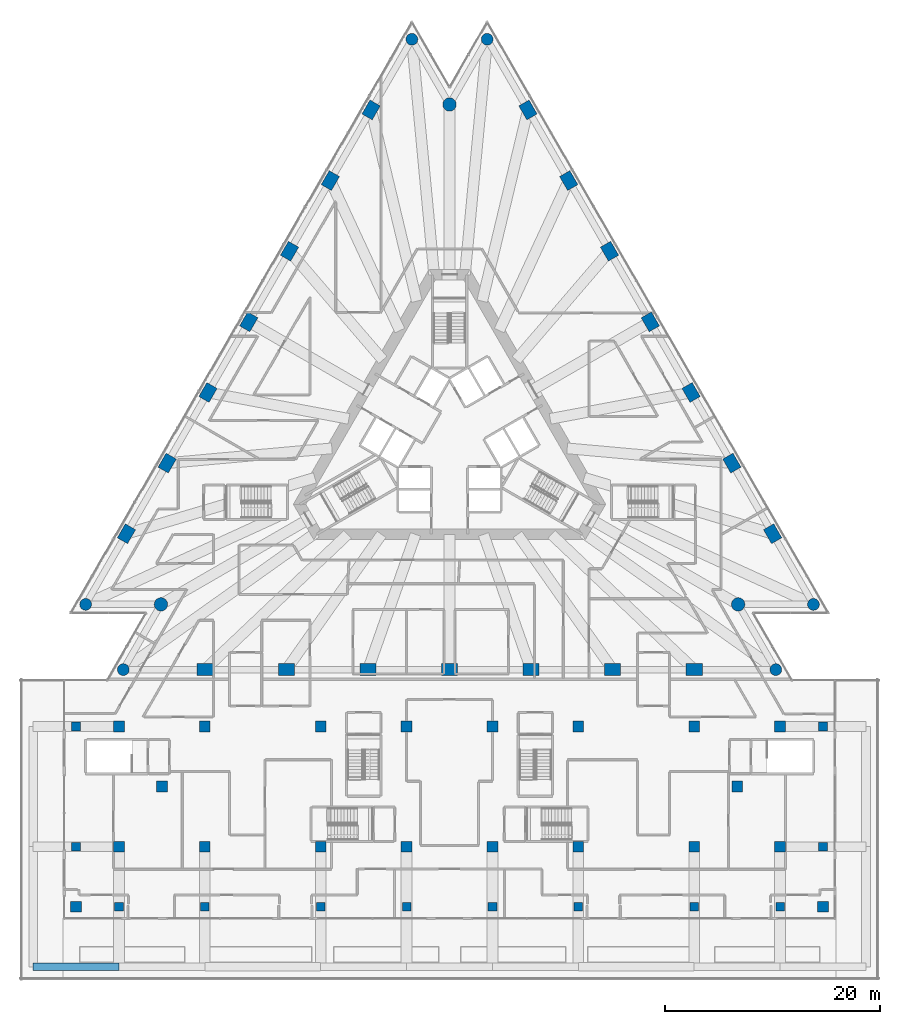
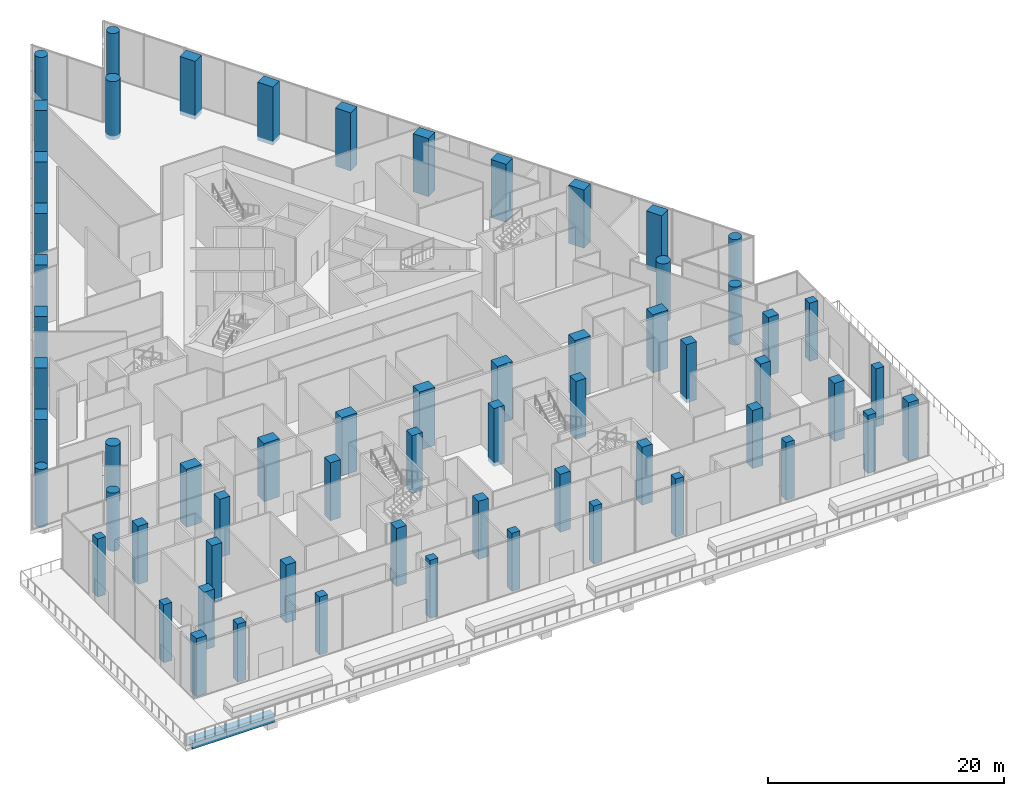
# One storey, part 1 of 36: 62 columns, 1 beam.
"""IFC4 building model written with IfcOpenShell, lengths in metres."""

from ifc_helpers import new_model, si_unit, direction, frame, origin, origin_2d, place, context, subcontext, project, spatial, rectangle, circle, extrude, material, material_profile, profile_set, type_object, element, save


model = new_model("IFC4")

# Units and contexts
model_context = context("Model", 3, precision=1e-05, world=origin(), true_north=direction((0.0, 1.0)))
body_context = subcontext(model_context, "Body", "Model", "MODEL_VIEW")
ifc_project = project(units=[si_unit("LENGTHUNIT", "METRE"), si_unit("AREAUNIT", "SQUARE_METRE"), si_unit("VOLUMEUNIT", "CUBIC_METRE"), si_unit("PLANEANGLEUNIT", "RADIAN"), si_unit("MASSUNIT", "GRAM", prefix="KILO")], contexts=[model_context])

# Site, building, storey
site_placement = place(None, origin())
site = spatial("IfcSite", under=ifc_project, at=site_placement, CompositionType="ELEMENT")
building_placement = place(site_placement, origin())
building = spatial("IfcBuilding", under=site, at=building_placement, Name="Triada Interchange Tower", CompositionType="ELEMENT")
storey_placement = place(building_placement, frame((0.0, 0.0, 8.5)))
storey = spatial("IfcBuildingStorey", under=building, at=storey_placement, Name="L01", CompositionType="ELEMENT", Elevation=8.5)

# Columns
ifc_material_1 = material(Name="Concrete C70/85", Category="concrete")
ifc_material_profile_1 = material_profile(ifc_material_1, rectangle(XDim=1.5, YDim=1.10009765625, at=origin_2d()), Name="RC 1500x1100")
ifc_profile_set_1 = profile_set([ifc_material_profile_1], Name="Concrete C70/85")
column_type_1 = type_object("IfcColumnType", Name="Column P face RC 1500x1100", PredefinedType="COLUMN", material=ifc_profile_set_1)
for number, where, z_axis, x_axis, name in (
    (1, (-7.306884765625, 30.5439453125, -0.39990234375), (0.0, 0.0, 1.0), (0.5, 0.866025403784, 0.0), "Column CP02 L01"),
    (2, (-11.10595703125, 23.9619140625, -0.39990234375), (0.0, 0.0, 1.0), (0.5, 0.866025403784, 0.0), "Column CP03 L01"),
    (3, (-14.906005859375, 17.381103515625, -0.39990234375), (0.0, 0.0, 1.0), (0.5, 0.866025403784, 0.0), "Column CP04 L01"),
    (4, (-18.7060546875, 10.800048828125, -0.39990234375), (0.0, 0.0, 1.0), (0.5, 0.866025403784, 0.0), "Column CP05 L01"),
    (5, (-22.506103515625, 4.218994140625, -0.39990234375), (0.0, 0.0, 1.0), (0.5, 0.866025403784, 0.0), "Column CP06 L01"),
    (6, (-26.305908203125, -2.362060546875, -0.39990234375), (0.0, 0.0, 1.0), (0.5, 0.866025403784, 0.0), "Column CP07 L01"),
    (7, (-30.10498046875, -8.944091796875, -0.39990234375), (0.0, 0.0, 1.0), (0.5, 0.866025403784, 0.0), "Column CP08 L01"),
    (8, (-22.798095703125, -21.60009765625, -0.39990234375), (0.0, 0.0, 1.0), (1.0, 0.0, 0.0), "Column CP11 L01"),
    (9, (-15.197998046875, -21.60009765625, -0.39990234375), (0.0, 0.0, 1.0), (1.0, 0.0, 0.0), "Column CP12 L01"),
    (10, (-7.59912109375, -21.60009765625, -0.39990234375), (0.0, 0.0, 1.0), (1.0, 0.0, 0.0), "Column CP13 L01"),
    (11, (0.0, -21.60009765625, -0.39990234375), (0.0, 0.0, 1.0), (1.0, 0.0, 0.0), "Column CP14 L01"),
    (12, (7.59912109375, -21.60009765625, -0.39990234375), (0.0, 0.0, 1.0), (1.0, 0.0, 0.0), "Column CP15 L01"),
    (13, (15.198974609375, -21.60009765625, -0.39990234375), (0.0, 0.0, 1.0), (1.0, 0.0, 0.0), "Column CP16 L01"),
    (14, (22.798095703125, -21.60009765625, -0.39990234375), (0.0, 0.0, 1.0), (1.0, 0.0, 0.0), "Column CP17 L01"),
    (15, (30.10498046875, -8.944091796875, -0.39990234375), (0.0, 0.0, 1.0), (-0.5, 0.866025403784, 0.0), "Column CP20 L01"),
    (16, (26.305908203125, -2.363037109375, -0.39990234375), (0.0, 0.0, 1.0), (-0.5, 0.866025403784, 0.0), "Column CP21 L01"),
    (17, (22.506103515625, 4.218994140625, -0.39990234375), (0.0, 0.0, 1.0), (-0.5, 0.866025403784, 0.0), "Column CP22 L01"),
    (18, (18.7060546875, 10.800048828125, -0.39990234375), (0.0, 0.0, 1.0), (-0.5, 0.866025403784, 0.0), "Column CP23 L01"),
    (19, (14.906005859375, 17.381103515625, -0.39990234375), (0.0, 0.0, 1.0), (-0.5, 0.866025403784, 0.0), "Column CP24 L01"),
    (20, (11.10595703125, 23.9619140625, -0.39990234375), (0.0, 0.0, 1.0), (-0.5, 0.866025403784, 0.0), "Column CP25 L01"),
    (21, (7.306884765625, 30.5439453125, -0.39990234375), (0.0, 0.0, 1.0), (-0.5, 0.866025403784, 0.0), "Column CP26 L01"),
):
    element("IfcColumn", number, at=place(storey_placement, frame(where, z_axis=z_axis, x_axis=x_axis)), inside=storey, type_object=column_type_1, Name=name, PredefinedType="COLUMN", context=body_context, shape_type="SweptSolid", body=[
        extrude(rectangle(XDim=1.5, YDim=1.10009765625, at=origin_2d()), origin(), (0.0, 0.0, 1.0), 6.0),
    ])
ifc_material_2 = material(Name="Concrete C50/60", Category="concrete")
ifc_material_profile_2 = material_profile(ifc_material_2, rectangle(XDim=1.0, YDim=1.0, at=origin_2d()), Name="RC 1000x1000")
ifc_profile_set_2 = profile_set([ifc_material_profile_2], Name="Concrete C50/60")
column_type_2 = type_object("IfcColumnType", Name="Column X annex RC 1000x1000", PredefinedType="COLUMN", material=ifc_profile_set_2)
for number, where, z_axis, x_axis, name in (
    (22, (-34.800048828125, -43.699951171875, -0.39990234375), (0.0, 0.0, 1.0), (1.0, 0.0, 0.0), "Column CX011 L01"),
    (23, (34.800048828125, -43.699951171875, -0.39990234375), (0.0, 0.0, 1.0), (1.0, 0.0, 0.0), "Column CX020 L01"),
    (24, (-30.800048828125, -38.10009765625, -0.39990234375), (0.0, 0.0, 1.0), (1.0, 0.0, 0.0), "Column CX023 L01"),
    (25, (-22.800048828125, -38.10009765625, -0.39990234375), (0.0, 0.0, 1.0), (1.0, 0.0, 0.0), "Column CX024 L01"),
    (26, (-12.0, -38.10009765625, -0.39990234375), (0.0, 0.0, 1.0), (1.0, 0.0, 0.0), "Column CX025 L01"),
    (27, (-4.0, -38.10009765625, -0.39990234375), (0.0, 0.0, 1.0), (1.0, 0.0, 0.0), "Column CX026 L01"),
    (28, (4.0, -38.10009765625, -0.39990234375), (0.0, 0.0, 1.0), (1.0, 0.0, 0.0), "Column CX027 L01"),
    (29, (12.0, -38.10009765625, -0.39990234375), (0.0, 0.0, 1.0), (1.0, 0.0, 0.0), "Column CX028 L01"),
    (30, (22.800048828125, -38.10009765625, -0.39990234375), (0.0, 0.0, 1.0), (1.0, 0.0, 0.0), "Column CX029 L01"),
    (31, (30.800048828125, -38.10009765625, -0.39990234375), (0.0, 0.0, 1.0), (1.0, 0.0, 0.0), "Column CX030 L01"),
    (32, (-26.800048828125, -32.5, -0.39990234375), (0.0, 0.0, 1.0), (1.0, 0.0, 0.0), "Column CX033 L01"),
    (33, (26.800048828125, -32.5, -0.39990234375), (0.0, 0.0, 1.0), (1.0, 0.0, 0.0), "Column CX040 L01"),
    (34, (-30.800048828125, -26.89990234375, -0.39990234375), (0.0, 0.0, 1.0), (1.0, 0.0, 0.0), "Column CX043 L01"),
    (35, (-22.800048828125, -26.89990234375, -0.39990234375), (0.0, 0.0, 1.0), (1.0, 0.0, 0.0), "Column CX045 L01"),
    (36, (-12.0, -26.89990234375, -0.39990234375), (0.0, 0.0, 1.0), (1.0, 0.0, 0.0), "Column CX046 L01"),
    (37, (-4.0, -26.89990234375, -0.39990234375), (0.0, 0.0, 1.0), (1.0, 0.0, 0.0), "Column CX047 L01"),
    (38, (4.0, -26.89990234375, -0.39990234375), (0.0, 0.0, 1.0), (1.0, 0.0, 0.0), "Column CX048 L01"),
    (39, (12.0, -26.89990234375, -0.39990234375), (0.0, 0.0, 1.0), (1.0, 0.0, 0.0), "Column CX049 L01"),
    (40, (22.800048828125, -26.89990234375, -0.39990234375), (0.0, 0.0, 1.0), (1.0, 0.0, 0.0), "Column CX050 L01"),
    (41, (30.800048828125, -26.89990234375, -0.39990234375), (0.0, 0.0, 1.0), (1.0, 0.0, 0.0), "Column CX052 L01"),
):
    element("IfcColumn", number, at=place(storey_placement, frame(where, z_axis=z_axis, x_axis=x_axis)), inside=storey, type_object=column_type_2, Name=name, PredefinedType="COLUMN", context=body_context, shape_type="SweptSolid", body=[
        extrude(rectangle(XDim=1.0, YDim=1.0, at=origin_2d()), origin(), (0.0, 0.0, 1.0), 6.0),
    ])
ifc_material_profile_3 = material_profile(ifc_material_1, circle(Radius=0.550048828125, at=origin_2d()), Name="RC D1100")
ifc_profile_set_3 = profile_set([ifc_material_profile_3], Name="Concrete C70/85")
column_type_3 = type_object("IfcColumnType", Name="End column P RC D1100", PredefinedType="COLUMN", material=ifc_profile_set_3)
for number, where, z_axis, x_axis, name in (
    (42, (-3.507080078125, 37.125, -0.39990234375), (0.0, 0.0, 1.0), (0.5, 0.866025403784, 0.0), "Column CP01 L01"),
    (43, (-33.905029296875, -15.52490234375, -0.39990234375), (0.0, 0.0, 1.0), (0.5, 0.866025403784, 0.0), "Column CP09 L01"),
    (44, (-30.39697265625, -21.60009765625, -0.39990234375), (0.0, 0.0, 1.0), (1.0, 0.0, 0.0), "Column CP10 L01"),
    (45, (30.39697265625, -21.60009765625, -0.39990234375), (0.0, 0.0, 1.0), (1.0, 0.0, 0.0), "Column CP18 L01"),
    (46, (33.905029296875, -15.52490234375, -0.39990234375), (0.0, 0.0, 1.0), (-0.5, 0.866025403784, 0.0), "Column CP19 L01"),
    (47, (3.507080078125, 37.125, -0.39990234375), (0.0, 0.0, 1.0), (-0.5, 0.866025403784, 0.0), "Column CP27 L01"),
):
    element("IfcColumn", number, at=place(storey_placement, frame(where, z_axis=z_axis, x_axis=x_axis)), inside=storey, type_object=column_type_3, Name=name, PredefinedType="COLUMN", context=body_context, shape_type="SweptSolid", body=[
        extrude(circle(Radius=0.550048828125, at=origin_2d()), origin(), (0.0, 0.0, 1.0), 6.0),
    ])
ifc_material_profile_4 = material_profile(ifc_material_1, circle(Radius=0.625, at=origin_2d()), Name="RC D1250")
ifc_profile_set_4 = profile_set([ifc_material_profile_4], Name="Concrete C70/85")
column_type_4 = type_object("IfcColumnType", Name="Mega column P RC D1250", PredefinedType="COLUMN", material=ifc_profile_set_4)
for number, where, z_axis, x_axis, name in (
    (48, (0.0, 31.050048828125, -0.39990234375), (0.0, 0.0, 1.0), (1.0, 0.0, 0.0), "Column MP1 L01"),
    (49, (-26.889892578125, -15.52490234375, -0.39990234375), (0.0, 0.0, 1.0), (1.0, 0.0, 0.0), "Column MP2 L01"),
    (50, (26.889892578125, -15.52490234375, -0.39990234375), (0.0, 0.0, 1.0), (1.0, 0.0, 0.0), "Column MP3 L01"),
):
    element("IfcColumn", number, at=place(storey_placement, frame(where, z_axis=z_axis, x_axis=x_axis)), inside=storey, type_object=column_type_4, Name=name, PredefinedType="COLUMN", context=body_context, shape_type="SweptSolid", body=[
        extrude(circle(Radius=0.625, at=origin_2d()), origin(), (0.0, 0.0, 1.0), 6.0),
    ])
ifc_material_profile_5 = material_profile(ifc_material_2, rectangle(XDim=0.800048828125, YDim=0.800048828125, at=origin_2d()), Name="RC 800x800")
ifc_profile_set_5 = profile_set([ifc_material_profile_5], Name="Concrete C50/60")
column_type_5 = type_object("IfcColumnType", Name="Stub column X annex RC 800x800", PredefinedType="COLUMN", material=ifc_profile_set_5)
for number, where, z_axis, x_axis, name in (
    (51, (-30.800048828125, -43.699951171875, -0.39990234375), (0.0, 0.0, 1.0), (1.0, 0.0, 0.0), "Column CX012 L01"),
    (52, (-22.800048828125, -43.699951171875, -0.39990234375), (0.0, 0.0, 1.0), (1.0, 0.0, 0.0), "Column CX013 L01"),
    (53, (-12.0, -43.699951171875, -0.39990234375), (0.0, 0.0, 1.0), (1.0, 0.0, 0.0), "Column CX014 L01"),
    (54, (-4.0, -43.699951171875, -0.39990234375), (0.0, 0.0, 1.0), (1.0, 0.0, 0.0), "Column CX015 L01"),
    (55, (4.0, -43.699951171875, -0.39990234375), (0.0, 0.0, 1.0), (1.0, 0.0, 0.0), "Column CX016 L01"),
    (56, (12.0, -43.699951171875, -0.39990234375), (0.0, 0.0, 1.0), (1.0, 0.0, 0.0), "Column CX017 L01"),
    (57, (22.800048828125, -43.699951171875, -0.39990234375), (0.0, 0.0, 1.0), (1.0, 0.0, 0.0), "Column CX018 L01"),
    (58, (30.800048828125, -43.699951171875, -0.39990234375), (0.0, 0.0, 1.0), (1.0, 0.0, 0.0), "Column CX019 L01"),
    (59, (-34.800048828125, -38.10009765625, -0.39990234375), (0.0, 0.0, 1.0), (1.0, 0.0, 0.0), "Column CX022 L01"),
    (60, (34.800048828125, -38.10009765625, -0.39990234375), (0.0, 0.0, 1.0), (1.0, 0.0, 0.0), "Column CX031 L01"),
    (61, (-34.800048828125, -26.89990234375, -0.39990234375), (0.0, 0.0, 1.0), (1.0, 0.0, 0.0), "Column CX042 L01"),
    (62, (34.800048828125, -26.89990234375, -0.39990234375), (0.0, 0.0, 1.0), (1.0, 0.0, 0.0), "Column CX053 L01"),
):
    element("IfcColumn", number, at=place(storey_placement, frame(where, z_axis=z_axis, x_axis=x_axis)), inside=storey, type_object=column_type_5, Name=name, PredefinedType="COLUMN", context=body_context, shape_type="SweptSolid", body=[
        extrude(rectangle(XDim=0.800048828125, YDim=0.800048828125, at=origin_2d()), origin(), (0.0, 0.0, 1.0), 6.0),
    ])

# Beam
ifc_material_3 = material(Name="Concrete C40/50", Category="concrete")
ifc_material_profile_6 = material_profile(ifc_material_3, rectangle(XDim=0.699951171875, YDim=0.89990234375, at=origin_2d()), Name="RC 700x900")
ifc_profile_set_6 = profile_set([ifc_material_profile_6], Name="Concrete C40/50")
beam_type = type_object("IfcBeamType", Name="Terrace beam RC 700x900", PredefinedType="BEAM", material=ifc_profile_set_6)
beam_placement = place(storey_placement, frame((-38.800048828125, -49.300048828125, -0.85009765625), z_axis=(1.0, 0.0, 0.0), x_axis=(0.0, 1.0, 0.0)))
element("IfcBeam", 63, at=beam_placement, inside=storey, type_object=beam_type, Name="Terrace beam TE01 L01", PredefinedType="BEAM", context=body_context, shape_type="SweptSolid", body=[
    extrude(rectangle(XDim=0.699951171875, YDim=0.89990234375, at=origin_2d()), origin(), (0.0, 0.0, 1.0), 8.0),
])

save(model, "model.ifc")
